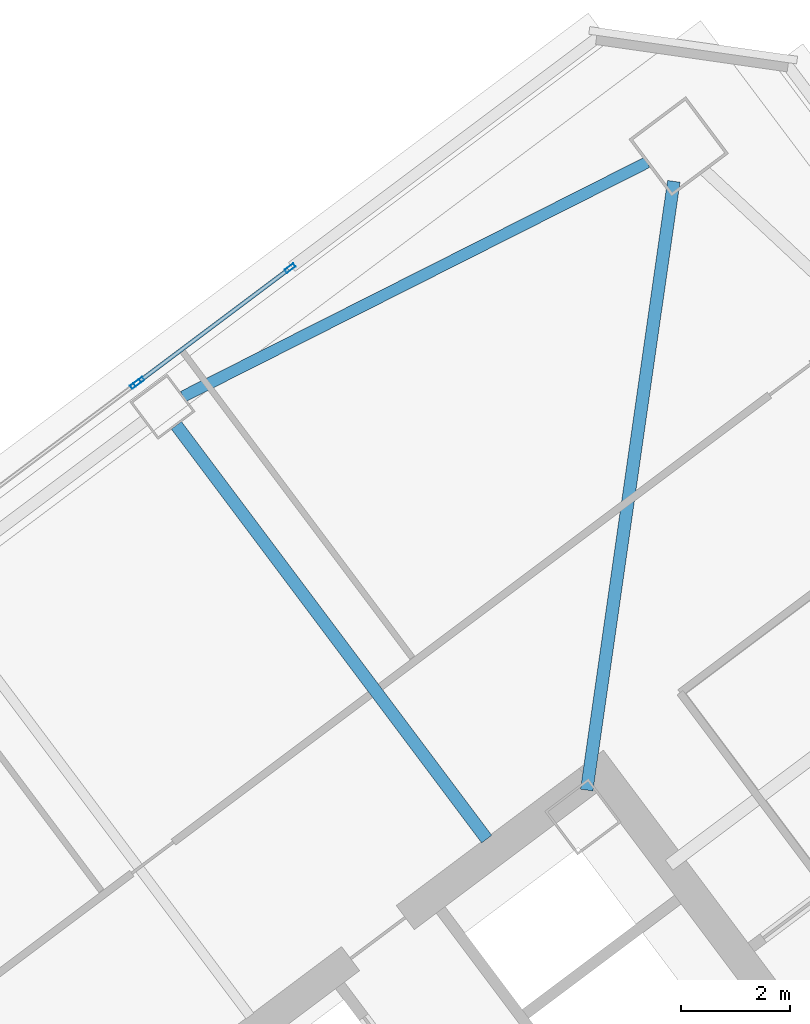
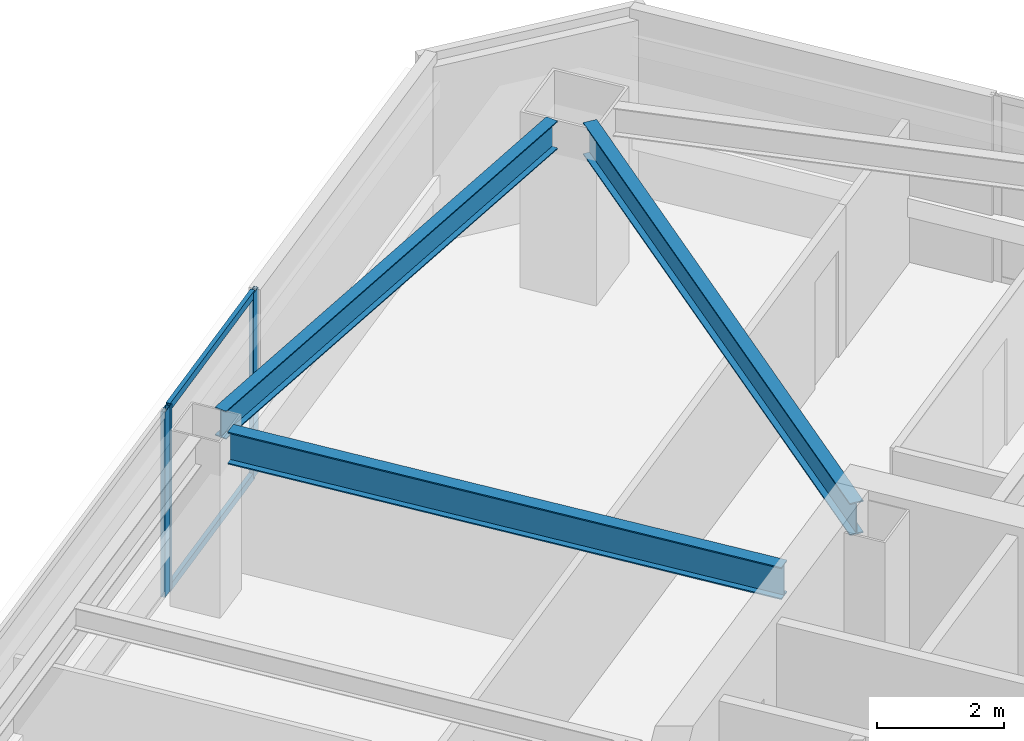
# One storey, part 26 of 41: 5 members, 3 beams, 2 elements without a shape of their own.
"""IFC4 building model written with IfcOpenShell, lengths in metres."""

from ifc_helpers import new_model, si_unit, direction, frame, origin, origin_2d, place, context, subcontext, project, spatial, hollow_rectangle, i_section, extrude, material, material_profile, profile_set, type_object, element, aggregate, save


model = new_model("IFC4")

# Units and contexts
model_context = context("Model", 3, precision=1e-05, world=origin(), true_north=direction((0.0, 1.0)))
body_context = subcontext(model_context, "Body", "Model", "MODEL_VIEW")
ifc_project = project(units=[si_unit("LENGTHUNIT", "METRE"), si_unit("AREAUNIT", "SQUARE_METRE"), si_unit("VOLUMEUNIT", "CUBIC_METRE"), si_unit("PLANEANGLEUNIT", "RADIAN"), si_unit("MASSUNIT", "GRAM", prefix="KILO")], contexts=[model_context])

# Site, building, storey
site_placement = place(None, origin())
site = spatial("IfcSite", under=ifc_project, at=site_placement, CompositionType="ELEMENT")
building_placement = place(site_placement, origin())
building = spatial("IfcBuilding", under=site, at=building_placement, Name="Tashvorn Skyway Center", CompositionType="ELEMENT")
storey_placement = place(building_placement, frame((0.0, 0.0, 146.35009765625)))
storey = spatial("IfcBuildingStorey", under=building, at=storey_placement, Name="L39", CompositionType="ELEMENT", Elevation=146.35009765625)

# Beams
ifc_material_1 = material(Name="Steel ASTM A992 Grade 50", Category="steel")
ifc_material_profile_1 = material_profile(ifc_material_1, i_section(OverallWidth=0.22998046875, OverallDepth=0.616943359375, WebThickness=0.01318359375, FlangeThickness=0.022216796875, at=origin_2d()), Name="W24X94")
ifc_profile_set_1 = profile_set([ifc_material_profile_1], Name="Steel ASTM A992 Grade 50")
beam_type_1 = type_object("IfcBeamType", Name="BM-BEAM-W24X94", PredefinedType="BEAM", material=ifc_profile_set_1)
beam_1_placement = place(storey_placement, frame((117.06884765625, 53.4814453125, 3.0615234375), z_axis=(-0.141430483583, -0.989948189712, 0.0), x_axis=(0.989948189712, -0.141430483583, 0.0)))
element("IfcBeam", 1, at=beam_1_placement, inside=storey, type_object=beam_type_1, Name="Tower 2 L39 Primary Floor Girder MC-NE", PredefinedType="BEAM", context=body_context, shape_type="SweptSolid", body=[
    extrude(i_section(OverallWidth=0.22998046875, OverallDepth=0.616943359375, WebThickness=0.01318359375, FlangeThickness=0.022216796875, at=origin_2d()), origin(), (0.0, 0.0, 1.0), 11.234375),
])
beam_2_placement = place(storey_placement, frame((107.98193359375, 49.02392578125, 3.0615234375), z_axis=(0.600020667896, -0.799984498661, 0.0), x_axis=(0.799984498661, 0.600020667896, 0.0)))
element("IfcBeam", 2, at=beam_2_placement, inside=storey, type_object=beam_type_1, Name="Tower 2 L39 Primary Floor Girder FC-N1", PredefinedType="BEAM", context=body_context, shape_type="SweptSolid", body=[
    extrude(i_section(OverallWidth=0.22998046875, OverallDepth=0.616943359375, WebThickness=0.01318359375, FlangeThickness=0.022216796875, at=origin_2d()), origin(), (0.0, 0.0, 1.0), 9.449951171875),
])
ifc_material_profile_2 = material_profile(ifc_material_1, i_section(OverallWidth=0.2109375, OverallDepth=0.5390625, WebThickness=0.01171875, FlangeThickness=0.018798828125, at=origin_2d()), Name="W21X73")
ifc_profile_set_2 = profile_set([ifc_material_profile_2], Name="Steel ASTM A992 Grade 50")
beam_type_2 = type_object("IfcBeamType", Name="BM-SPANDREL-W21X73", PredefinedType="SPANDREL", material=ifc_profile_set_2)
beam_3_placement = place(storey_placement, frame((116.584228515625, 53.829345703125, 3.100341796875), z_axis=(-0.892719124217, -0.450613543136, 0.0), x_axis=(0.450613543136, -0.892719124217, 0.0)))
element("IfcBeam", 3, at=beam_3_placement, inside=storey, type_object=beam_type_2, Name="Tower 2 L39 Spandrel Beam 07", PredefinedType="SPANDREL", context=body_context, shape_type="SweptSolid", body=[
    extrude(i_section(OverallWidth=0.2109375, OverallDepth=0.5390625, WebThickness=0.01171875, FlangeThickness=0.018798828125, at=origin_2d()), origin(), (0.0, 0.0, 1.0), 9.498291015625),
])

# Curtain wall, member
ifc_material_2 = material(Name="Thermally broken bronze-anodized aluminium 6063-T6", Category="aluminium")
curtain_wall_type = type_object("IfcCurtainWallType", Name="CW-CW-Z3", PredefinedType="NOTDEFINED", material=ifc_material_2)
curtain_wall_1_placement = place(storey_placement, origin())
curtain_wall_1 = element("IfcCurtainWall", 4, at=curtain_wall_1_placement, inside=storey, type_object=curtain_wall_type, Name="Tower 2 L39 North Unitised Curtain Wall Glazing Group 2", PredefinedType="NOTDEFINED")
ifc_material_profile_3 = material_profile(ifc_material_2, hollow_rectangle(XDim=0.074951171875, YDim=0.199951171875, WallThickness=0.00439453125, at=origin_2d()), Name="ALU-MULL-75x200")
ifc_profile_set_3 = profile_set([ifc_material_profile_3], Name="Thermally broken bronze-anodized aluminium 6063-T6")
member_type_1 = type_object("IfcMemberType", Name="CWM-CW-Z3", PredefinedType="MULLION", material=ifc_profile_set_3)
member_1_placement = place(storey_placement, frame((107.23681640625, 49.777587890625, 0.0), z_axis=(0.0, 0.0, 1.0), x_axis=(-0.599996977339, 0.800002266987, 0.0)))
member_1 = element("IfcMember", 5, at=member_1_placement, type_object=member_type_1, Name="CW-Z3 mullion 2", PredefinedType="MULLION", context=body_context, shape_type="SweptSolid", body=[
    extrude(hollow_rectangle(XDim=0.074951171875, YDim=0.199951171875, WallThickness=0.00439453125, at=origin_2d()), origin(), (0.0, 0.0, 1.0), 3.5498046875),
])
aggregate(curtain_wall_1, [member_1])

# Curtain wall, members
curtain_wall_2_placement = place(storey_placement, origin())
curtain_wall_2 = element("IfcCurtainWall", 6, at=curtain_wall_2_placement, inside=storey, type_object=curtain_wall_type, Name="Tower 2 L39 North Unitised Curtain Wall Glazing Group 3", PredefinedType="NOTDEFINED")
member_2_placement = place(storey_placement, frame((107.296630859375, 49.822509765625, 0.0), z_axis=(0.0, 0.0, 1.0), x_axis=(-0.599995465948, 0.800003400519, 0.0)))
member_2 = element("IfcMember", 7, at=member_2_placement, type_object=member_type_1, Name="CW-Z3 mullion 1", PredefinedType="MULLION", context=body_context, shape_type="SweptSolid", body=[
    extrude(hollow_rectangle(XDim=0.074951171875, YDim=0.199951171875, WallThickness=0.00439453125, at=origin_2d()), origin(), (0.0, 0.0, 1.0), 3.5498046875),
])
member_3_placement = place(storey_placement, frame((110.059814453125, 51.894775390625, 0.0), z_axis=(0.0, 0.0, 1.0), x_axis=(-0.599995465948, 0.800003400519, 0.0)))
member_3 = element("IfcMember", 8, at=member_3_placement, type_object=member_type_1, Name="CW-Z3 mullion 2", PredefinedType="MULLION", context=body_context, shape_type="SweptSolid", body=[
    extrude(hollow_rectangle(XDim=0.074951171875, YDim=0.199951171875, WallThickness=0.00439453125, at=origin_2d()), origin(), (0.0, 0.0, 1.0), 3.5498046875),
])
ifc_material_profile_4 = material_profile(ifc_material_2, hollow_rectangle(XDim=0.074951171875, YDim=0.139892578125, WallThickness=0.004150390625, at=origin_2d()), Name="ALU-TRAN-75x140")
ifc_profile_set_4 = profile_set([ifc_material_profile_4], Name="Thermally broken bronze-anodized aluminium 6063-T6")
member_type_2 = type_object("IfcMemberType", Name="CWT-CW-Z3", PredefinedType="USERDEFINED", material=ifc_profile_set_4)
member_4_placement = place(storey_placement, frame((107.32666015625, 49.844970703125, 0.037353515625), z_axis=(0.8, 0.6, 0.0), x_axis=(-0.6, 0.8, 0.0)))
member_4 = element("IfcMember", 9, at=member_4_placement, type_object=member_type_2, Name="CW-Z3 transom 1.1", ObjectType="TRANSOM", PredefinedType="USERDEFINED", context=body_context, shape_type="SweptSolid", body=[
    extrude(hollow_rectangle(XDim=0.074951171875, YDim=0.139892578125, WallThickness=0.004150390625, at=origin_2d()), origin(), (0.0, 0.0, 1.0), 3.37890625),
])
member_5_placement = place(storey_placement, frame((107.32666015625, 49.844970703125, 3.512451171875), z_axis=(0.8, 0.6, 0.0), x_axis=(-0.6, 0.8, 0.0)))
member_5 = element("IfcMember", 10, at=member_5_placement, type_object=member_type_2, Name="CW-Z3 transom 1.2", ObjectType="TRANSOM", PredefinedType="USERDEFINED", context=body_context, shape_type="SweptSolid", body=[
    extrude(hollow_rectangle(XDim=0.074951171875, YDim=0.139892578125, WallThickness=0.004150390625, at=origin_2d()), origin(), (0.0, 0.0, 1.0), 3.37890625),
])
aggregate(curtain_wall_2, [member_2, member_3, member_4, member_5])

save(model, "model.ifc")
